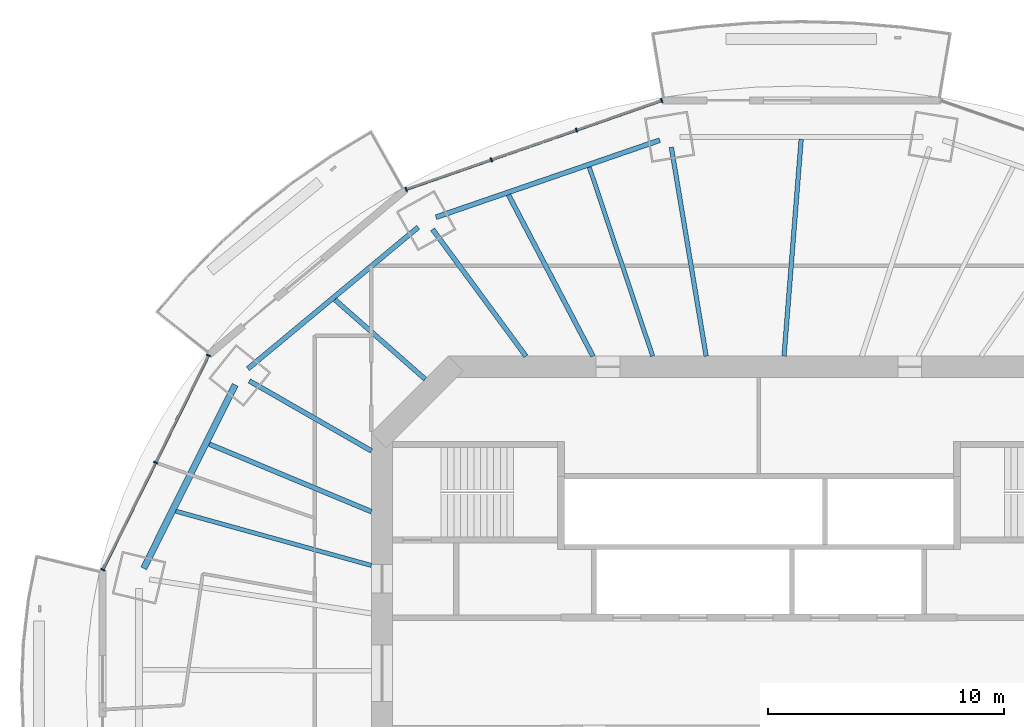
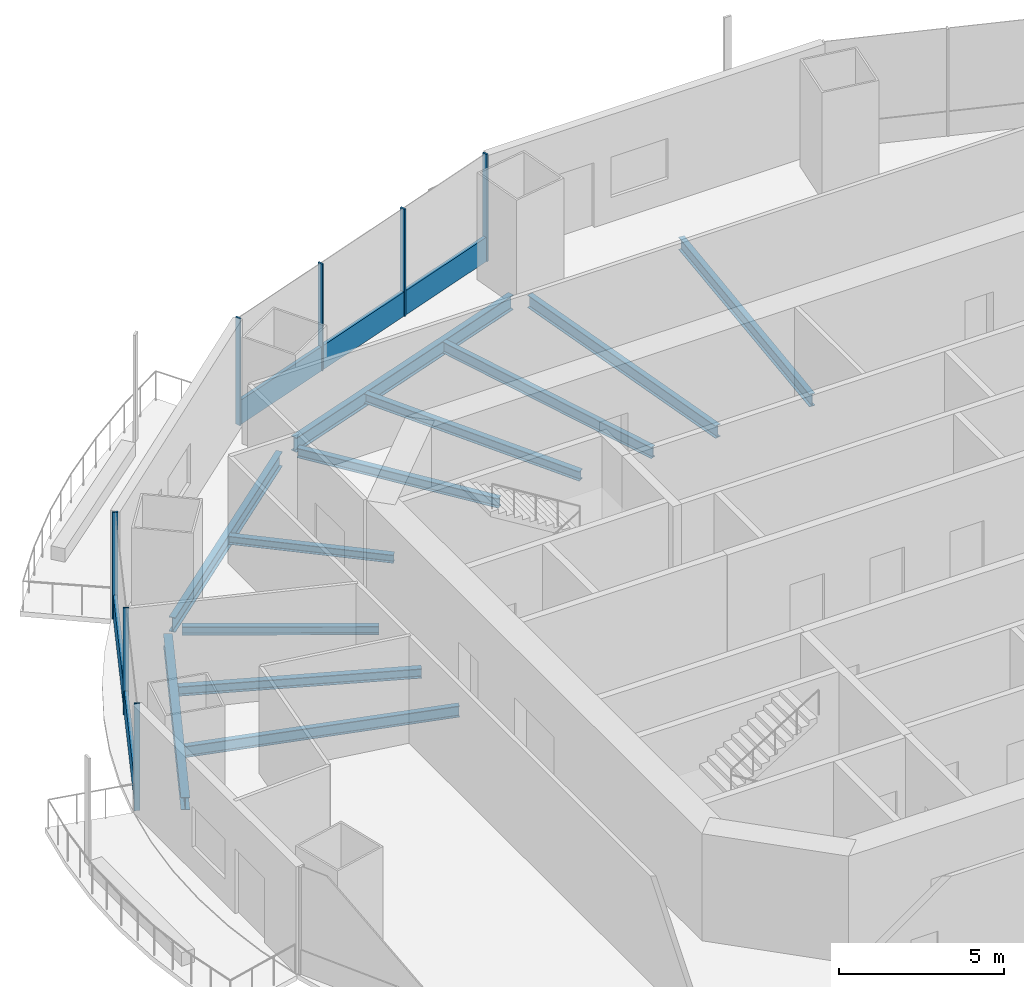
# One storey, part 6 of 19: 12 beams, 9 members, 2 elements without a shape of their own.
"""IFC4 building model written with IfcOpenShell, lengths in metres."""

from ifc_helpers import new_model, si_unit, direction, frame, origin, origin_2d, place, context, subcontext, project, spatial, rectangle, i_section, extrude, material, material_profile, profile_set, type_object, element, aggregate, save


model = new_model("IFC4")

# Units and contexts
model_context = context("Model", 3, precision=1e-05, world=origin(), true_north=direction((0.0, 1.0)))
body_context = subcontext(model_context, "Body", "Model", "MODEL_VIEW")
ifc_project = project(units=[si_unit("LENGTHUNIT", "METRE"), si_unit("AREAUNIT", "SQUARE_METRE"), si_unit("VOLUMEUNIT", "CUBIC_METRE"), si_unit("PLANEANGLEUNIT", "RADIAN"), si_unit("MASSUNIT", "GRAM", prefix="KILO")], contexts=[model_context])

# Site, building, storey
site_placement = place(None, origin())
site = spatial("IfcSite", under=ifc_project, at=site_placement, CompositionType="ELEMENT")
building_placement = place(site_placement, origin())
building = spatial("IfcBuilding", under=site, at=building_placement, Name="Marenthal Gate Tower", CompositionType="ELEMENT")
storey_placement = place(building_placement, frame((0.0, 0.0, 244.050048828125)))
storey = spatial("IfcBuildingStorey", under=building, at=storey_placement, Name="L54", CompositionType="ELEMENT", Elevation=244.050048828125)

# Curtain wall, members
ifc_material_1 = material(Name="Aluminium and glass", Category="aluminium")
curtain_wall_type = type_object("IfcCurtainWallType", Name="Curtain wall typical mid", PredefinedType="NOTDEFINED", material=ifc_material_1)
curtain_wall_1_placement = place(storey_placement, origin())
curtain_wall_1 = element("IfcCurtainWall", 1, at=curtain_wall_1_placement, inside=storey, type_object=curtain_wall_type, Name="Curtain wall L54 bay 5", PredefinedType="NOTDEFINED")
ifc_material_2 = material(Name="Aluminium", Category="aluminium")
ifc_material_profile_1 = material_profile(ifc_material_2, rectangle(XDim=0.179931640625, YDim=0.06005859375, at=origin_2d()), Name="60x180 aluminium mullion")
ifc_profile_set_1 = profile_set([ifc_material_profile_1], Name="Aluminium")
member_type_1 = type_object("IfcMemberType", Name="Mullion 60x180 typical mid", PredefinedType="MULLION", material=ifc_profile_set_1)
member_1_placement = place(storey_placement, frame((-4.12890625, 24.301025390625, 0.0), z_axis=(0.0, 0.0, 1.0), x_axis=(0.328540448732, -0.944489901241, 0.0)))
member_1 = element("IfcMember", 2, at=member_1_placement, type_object=member_type_1, Name="Mullion L54 bay 5.1", PredefinedType="MULLION", context=body_context, shape_type="SweptSolid", body=[
    extrude(rectangle(XDim=0.179931640625, YDim=0.06005859375, at=origin_2d()), origin(), (0.0, 0.0, 1.0), 3.969970703125),
])
member_2_placement = place(storey_placement, frame((-7.744140625, 23.04345703125, 0.0), z_axis=(0.0, 0.0, 1.0), x_axis=(0.328540448732, -0.944489901241, 0.0)))
member_2 = element("IfcMember", 3, at=member_2_placement, type_object=member_type_1, Name="Mullion L54 bay 5.2", PredefinedType="MULLION", context=body_context, shape_type="SweptSolid", body=[
    extrude(rectangle(XDim=0.179931640625, YDim=0.06005859375, at=origin_2d()), origin(), (0.0, 0.0, 1.0), 3.969970703125),
])
member_3_placement = place(storey_placement, frame((-11.359619140625, 21.785888671875, 0.0), z_axis=(0.0, 0.0, 1.0), x_axis=(0.328540448732, -0.944489901241, 0.0)))
member_3 = element("IfcMember", 4, at=member_3_placement, type_object=member_type_1, Name="Mullion L54 bay 5.3", PredefinedType="MULLION", context=body_context, shape_type="SweptSolid", body=[
    extrude(rectangle(XDim=0.179931640625, YDim=0.06005859375, at=origin_2d()), origin(), (0.0, 0.0, 1.0), 3.969970703125),
])
member_4_placement = place(storey_placement, frame((-14.974853515625, 20.5283203125, 0.0), z_axis=(0.0, 0.0, 1.0), x_axis=(0.328540448732, -0.944489901241, 0.0)))
member_4 = element("IfcMember", 5, at=member_4_placement, type_object=member_type_1, Name="Mullion L54 bay 5.4", PredefinedType="MULLION", context=body_context, shape_type="SweptSolid", body=[
    extrude(rectangle(XDim=0.179931640625, YDim=0.06005859375, at=origin_2d()), origin(), (0.0, 0.0, 1.0), 3.969970703125),
])

curtain_wall_2_placement = place(storey_placement, origin())
curtain_wall_2 = element("IfcCurtainWall", 6, at=curtain_wall_2_placement, inside=storey, type_object=curtain_wall_type, Name="Curtain wall L54 bay 7", PredefinedType="NOTDEFINED")
member_5_placement = place(storey_placement, frame((-23.361083984375, 13.48388671875, 0.0), z_axis=(0.0, 0.0, 1.0), x_axis=(0.896835471663, -0.442364258013, 0.0)))
member_5 = element("IfcMember", 7, at=member_5_placement, type_object=member_type_1, Name="Mullion L54 bay 7.1", PredefinedType="MULLION", context=body_context, shape_type="SweptSolid", body=[
    extrude(rectangle(XDim=0.179931640625, YDim=0.06005859375, at=origin_2d()), origin(), (0.0, 0.0, 1.0), 3.969970703125),
])
member_6_placement = place(storey_placement, frame((-25.60595703125, 8.93310546875, 0.0), z_axis=(0.0, 0.0, 1.0), x_axis=(0.896835471663, -0.442364258013, 0.0)))
member_6 = element("IfcMember", 8, at=member_6_placement, type_object=member_type_1, Name="Mullion L54 bay 7.2", PredefinedType="MULLION", context=body_context, shape_type="SweptSolid", body=[
    extrude(rectangle(XDim=0.179931640625, YDim=0.06005859375, at=origin_2d()), origin(), (0.0, 0.0, 1.0), 3.969970703125),
])
member_7_placement = place(storey_placement, frame((-27.8505859375, 4.382080078125, 0.0), z_axis=(0.0, 0.0, 1.0), x_axis=(0.896835471663, -0.442364258013, 0.0)))
member_7 = element("IfcMember", 9, at=member_7_placement, type_object=member_type_1, Name="Mullion L54 bay 7.3", PredefinedType="MULLION", context=body_context, shape_type="SweptSolid", body=[
    extrude(rectangle(XDim=0.179931640625, YDim=0.06005859375, at=origin_2d()), origin(), (0.0, 0.0, 1.0), 3.969970703125),
])

# Member
ifc_material_3 = material(Name="Aluminium", Category="aluminium")
ifc_material_profile_2 = material_profile(ifc_material_3, rectangle(XDim=0.1201171875, YDim=0.89990234375, at=origin_2d()), Name="120x900 aluminium transom")
ifc_profile_set_2 = profile_set([ifc_material_profile_2], Name="Aluminium")
member_type_2 = type_object("IfcMemberType", Name="Transom 120x900 typical mid", PredefinedType="USERDEFINED", material=ifc_profile_set_2)
member_8_placement = place(storey_placement, frame((-4.1572265625, 24.291259765625, 0.449951171875), z_axis=(-0.944486704993, -0.328549637179, 0.0), x_axis=(0.328549637179, -0.944486704993, 0.0)))
member_8 = element("IfcMember", 10, at=member_8_placement, type_object=member_type_2, Name="Transom L54 bay 5", ObjectType="TRANSOM", PredefinedType="USERDEFINED", context=body_context, shape_type="SweptSolid", body=[
    extrude(rectangle(XDim=0.1201171875, YDim=0.89990234375, at=origin_2d()), origin(), (0.0, 0.0, 1.0), 11.42333984375),
])

aggregate(curtain_wall_1, [member_1, member_2, member_3, member_4, member_8])

member_9_placement = place(storey_placement, frame((-23.374267578125, 13.45703125, 0.449951171875), z_axis=(-0.442377007868, -0.896829182682, 0.0), x_axis=(0.896829182682, -0.442377007868, 0.0)))
member_9 = element("IfcMember", 11, at=member_9_placement, type_object=member_type_2, Name="Transom L54 bay 7", ObjectType="TRANSOM", PredefinedType="USERDEFINED", context=body_context, shape_type="SweptSolid", body=[
    extrude(rectangle(XDim=0.1201171875, YDim=0.89990234375, at=origin_2d()), origin(), (0.0, 0.0, 1.0), 10.0888671875),
])

aggregate(curtain_wall_2, [member_5, member_6, member_7, member_9])

# Beams
ifc_material_4 = material(Name="Steel S355", Category="steel")
ifc_material_profile_3 = material_profile(ifc_material_4, i_section(OverallWidth=0.202880859375, OverallDepth=0.302001953125, WebThickness=0.007568359375, FlangeThickness=0.01318359375, FilletRadius=0.0126953125, at=origin_2d()), Name="W310X60")
ifc_profile_set_3 = profile_set([ifc_material_profile_3], Name="Steel S355")
beam_type_1 = type_object("IfcBeamType", Name="W310X60 beam", PredefinedType="BEAM", material=ifc_profile_set_3)
beam_1_placement = place(storey_placement, frame((-17.999267578125, 15.847900390625, -0.3310546875), z_axis=(0.750551397525, -0.660812075914, 0.0), x_axis=(0.660812075914, 0.750551397525, 0.0)))
element("IfcBeam", 12, at=beam_1_placement, inside=storey, type_object=beam_type_1, Name="BM-L54-25", PredefinedType="BEAM", context=body_context, shape_type="SweptSolid", body=[
    extrude(i_section(OverallWidth=0.202880859375, OverallDepth=0.302001953125, WebThickness=0.007568359375, FlangeThickness=0.01318359375, FilletRadius=0.0126953125, at=origin_2d()), origin(), (0.0, 0.0, 1.0), 5.109130859375),
])
ifc_material_5 = material(Name="Steel S355", Category="steel")
ifc_material_profile_4 = material_profile(ifc_material_5, i_section(OverallWidth=0.205078125, OverallDepth=0.31005859375, WebThickness=0.009521484375, FlangeThickness=0.016357421875, FilletRadius=0.0126953125, at=origin_2d()), Name="W310X74")
ifc_profile_set_4 = profile_set([ifc_material_profile_4], Name="Steel S355")
beam_type_2 = type_object("IfcBeamType", Name="W310X74 beam", PredefinedType="BEAM", material=ifc_profile_set_4)
beam_2_placement = place(storey_placement, frame((-21.633544921875, 12.4033203125, -0.3349609375), z_axis=(0.867530663758, -0.497383702427, 0.0), x_axis=(0.497383702427, 0.867530663758, 0.0)))
element("IfcBeam", 13, at=beam_2_placement, inside=storey, type_object=beam_type_2, Name="BM-L54-07", PredefinedType="BEAM", context=body_context, shape_type="SweptSolid", body=[
    extrude(i_section(OverallWidth=0.205078125, OverallDepth=0.31005859375, WebThickness=0.009521484375, FlangeThickness=0.016357421875, FilletRadius=0.0126953125, at=origin_2d()), origin(), (0.0, 0.0, 1.0), 5.97509765625),
])
ifc_material_6 = material(Name="Steel S355", Category="steel")
ifc_material_profile_5 = material_profile(ifc_material_6, i_section(OverallWidth=0.205078125, OverallDepth=0.35302734375, WebThickness=0.009521484375, FlangeThickness=0.016845703125, FilletRadius=0.014892578125, at=origin_2d()), Name="W360X79")
ifc_profile_set_5 = profile_set([ifc_material_profile_5], Name="Steel S355")
beam_type_3 = type_object("IfcBeamType", Name="W360X79 beam", PredefinedType="BEAM", material=ifc_profile_set_5)
beam_3_placement = place(storey_placement, frame((-13.854248046875, 18.836181640625, -0.3564453125), z_axis=(0.592507550431, -0.80556489663, 0.0), x_axis=(0.80556489663, 0.592507550431, 0.0)))
element("IfcBeam", 14, at=beam_3_placement, inside=storey, type_object=beam_type_3, Name="BM-L54-06", PredefinedType="BEAM", context=body_context, shape_type="SweptSolid", body=[
    extrude(i_section(OverallWidth=0.205078125, OverallDepth=0.35302734375, WebThickness=0.009521484375, FlangeThickness=0.016845703125, FilletRadius=0.014892578125, at=origin_2d()), origin(), (0.0, 0.0, 1.0), 6.686279296875),
])
beam_4_placement = place(storey_placement, frame((-10.63134765625, 20.29541015625, -0.3564453125), z_axis=(0.464029424014, -0.885819786215, 0.0), x_axis=(0.885819786215, 0.464029424014, 0.0)))
element("IfcBeam", 15, at=beam_4_placement, inside=storey, type_object=beam_type_3, Name="BM-L54-24", PredefinedType="BEAM", context=body_context, shape_type="SweptSolid", body=[
    extrude(i_section(OverallWidth=0.205078125, OverallDepth=0.35302734375, WebThickness=0.009521484375, FlangeThickness=0.016845703125, FilletRadius=0.014892578125, at=origin_2d()), origin(), (0.0, 0.0, 1.0), 7.727783203125),
])
beam_5_placement = place(storey_placement, frame((-23.331787109375, 9.71728515625, -0.3564453125), z_axis=(0.923146670425, -0.384447948209, 0.0), x_axis=(0.384447948209, 0.923146670425, 0.0)))
element("IfcBeam", 16, at=beam_5_placement, inside=storey, type_object=beam_type_3, Name="BM-L54-26", PredefinedType="BEAM", context=body_context, shape_type="SweptSolid", body=[
    extrude(i_section(OverallWidth=0.205078125, OverallDepth=0.35302734375, WebThickness=0.009521484375, FlangeThickness=0.016845703125, FilletRadius=0.014892578125, at=origin_2d()), origin(), (0.0, 0.0, 1.0), 7.454833984375),
])
ifc_material_7 = material(Name="Steel S355", Category="steel")
ifc_material_profile_6 = material_profile(ifc_material_7, i_section(OverallWidth=0.180908203125, OverallDepth=0.4169921875, WebThickness=0.010986328125, FlangeThickness=0.018310546875, FilletRadius=0.01025390625, at=origin_2d()), Name="W410X85")
ifc_profile_set_6 = profile_set([ifc_material_profile_6], Name="Steel S355")
beam_type_4 = type_object("IfcBeamType", Name="W410X85 beam", PredefinedType="BEAM", material=ifc_profile_set_6)
beam_6_placement = place(storey_placement, frame((-7.202880859375, 21.475341796875, -0.388427734375), z_axis=(0.317983705418, -0.948096178185, 0.0), x_axis=(0.948096178185, 0.317983705418, 0.0)))
element("IfcBeam", 17, at=beam_6_placement, inside=storey, type_object=beam_type_4, Name="BM-L54-23", PredefinedType="BEAM", context=body_context, shape_type="SweptSolid", body=[
    extrude(i_section(OverallWidth=0.180908203125, OverallDepth=0.4169921875, WebThickness=0.010986328125, FlangeThickness=0.018310546875, FilletRadius=0.01025390625, at=origin_2d()), origin(), (0.0, 0.0, 1.0), 8.46484375),
])
beam_7_placement = place(storey_placement, frame((-24.75048828125, 6.87109375, -0.388427734375), z_axis=(0.96355566058, -0.267507923181, 0.0), x_axis=(0.267507923181, 0.96355566058, 0.0)))
element("IfcBeam", 18, at=beam_7_placement, inside=storey, type_object=beam_type_4, Name="BM-L54-27", PredefinedType="BEAM", context=body_context, shape_type="SweptSolid", body=[
    extrude(i_section(OverallWidth=0.180908203125, OverallDepth=0.4169921875, WebThickness=0.010986328125, FlangeThickness=0.018310546875, FilletRadius=0.01025390625, at=origin_2d()), origin(), (0.0, 0.0, 1.0), 8.614501953125),
])
ifc_material_8 = material(Name="Steel S355", Category="steel")
ifc_material_profile_7 = material_profile(ifc_material_8, i_section(OverallWidth=0.279052734375, OverallDepth=0.4619140625, WebThickness=0.0107421875, FlangeThickness=0.017333984375, FilletRadius=0.010009765625, at=origin_2d()), Name="W460X113")
ifc_profile_set_7 = profile_set([ifc_material_profile_7], Name="Steel S355")
beam_type_5 = type_object("IfcBeamType", Name="W460X113 beam", PredefinedType="BEAM", material=ifc_profile_set_7)
beam_8_placement = place(storey_placement, frame((-22.2333984375, 12.2333984375, -0.4111328125), z_axis=(-0.446135404935, -0.894965474453, 0.0), x_axis=(0.894965474453, -0.446135404935, 0.0)))
element("IfcBeam", 19, at=beam_8_placement, inside=storey, type_object=beam_type_5, Name="BM-L54-47", PredefinedType="BEAM", context=body_context, shape_type="SweptSolid", body=[
    extrude(i_section(OverallWidth=0.279052734375, OverallDepth=0.4619140625, WebThickness=0.0107421875, FlangeThickness=0.017333984375, FilletRadius=0.010009765625, at=origin_2d()), origin(), (0.0, 0.0, 1.0), 8.69775390625),
])
ifc_material_9 = material(Name="Steel S355", Category="steel")
ifc_material_profile_8 = material_profile(ifc_material_9, i_section(OverallWidth=0.193115234375, OverallDepth=0.467041015625, WebThickness=0.011474609375, FlangeThickness=0.01904296875, FilletRadius=0.010009765625, at=origin_2d()), Name="W460X97")
ifc_profile_set_8 = profile_set([ifc_material_profile_8], Name="Steel S355")
beam_type_6 = type_object("IfcBeamType", Name="W460X97 beam", PredefinedType="BEAM", material=ifc_profile_set_8)
beam_9_placement = place(storey_placement, frame((-3.718505859375, 22.3173828125, -0.41357421875), z_axis=(0.164359351381, -0.986400529001, 0.0), x_axis=(0.986400529001, 0.164359351381, 0.0)))
element("IfcBeam", 20, at=beam_9_placement, inside=storey, type_object=beam_type_6, Name="BM-L54-05", PredefinedType="BEAM", context=body_context, shape_type="SweptSolid", body=[
    extrude(i_section(OverallWidth=0.193115234375, OverallDepth=0.467041015625, WebThickness=0.011474609375, FlangeThickness=0.01904296875, FilletRadius=0.010009765625, at=origin_2d()), origin(), (0.0, 0.0, 1.0), 8.98974609375),
])
beam_10_placement = place(storey_placement, frame((1.79150390625, 22.6552734375, -0.41357421875), z_axis=(-0.078815192608, -0.996889244307, 0.0), x_axis=(0.996889244307, -0.078815192608, 0.0)))
element("IfcBeam", 21, at=beam_10_placement, inside=storey, type_object=beam_type_6, Name="BM-L54-22", PredefinedType="BEAM", context=body_context, shape_type="SweptSolid", body=[
    extrude(i_section(OverallWidth=0.193115234375, OverallDepth=0.467041015625, WebThickness=0.011474609375, FlangeThickness=0.01904296875, FilletRadius=0.010009765625, at=origin_2d()), origin(), (0.0, 0.0, 1.0), 9.234130859375),
])
ifc_material_10 = material(Name="Steel S355", Category="steel")
ifc_material_profile_9 = material_profile(ifc_material_10, i_section(OverallWidth=0.2119140625, OverallDepth=0.5439453125, WebThickness=0.01318359375, FlangeThickness=0.021240234375, FilletRadius=0.0126953125, at=origin_2d()), Name="W530X123")
ifc_profile_set_9 = profile_set([ifc_material_profile_9], Name="Steel S355")
beam_type_7 = type_object("IfcBeamType", Name="W530X123 beam", PredefinedType="BEAM", material=ifc_profile_set_9)
beam_11_placement = place(storey_placement, frame((-4.20654296875, 22.61865234375, -0.4521484375), z_axis=(-0.945565649908, -0.325431408617, 0.0), x_axis=(0.325431408617, -0.945565649908, 0.0)))
element("IfcBeam", 22, at=beam_11_placement, inside=storey, type_object=beam_type_7, Name="BM-L54-45", PredefinedType="BEAM", context=body_context, shape_type="SweptSolid", body=[
    extrude(i_section(OverallWidth=0.2119140625, OverallDepth=0.5439453125, WebThickness=0.01318359375, FlangeThickness=0.021240234375, FilletRadius=0.0126953125, at=origin_2d()), origin(), (0.0, 0.0, 1.0), 10.050537109375),
])
beam_12_placement = place(storey_placement, frame((-14.46484375, 18.922607421875, -0.4521484375), z_axis=(-0.769136149311, -0.63908495822, 0.0), x_axis=(0.63908495822, -0.769136149311, 0.0)))
element("IfcBeam", 23, at=beam_12_placement, inside=storey, type_object=beam_type_7, Name="BM-L54-46", PredefinedType="BEAM", context=body_context, shape_type="SweptSolid", body=[
    extrude(i_section(OverallWidth=0.2119140625, OverallDepth=0.5439453125, WebThickness=0.01318359375, FlangeThickness=0.021240234375, FilletRadius=0.0126953125, at=origin_2d()), origin(), (0.0, 0.0, 1.0), 9.397705078125),
])

save(model, "model.ifc")
